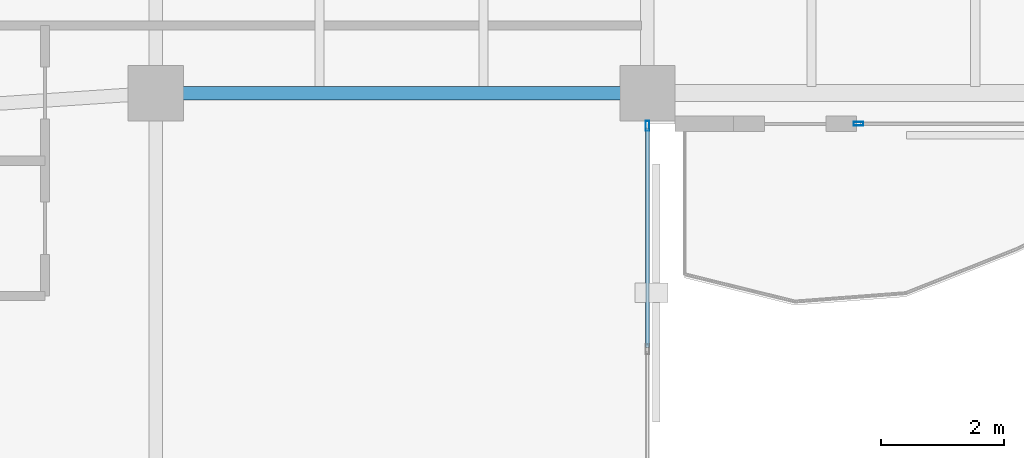
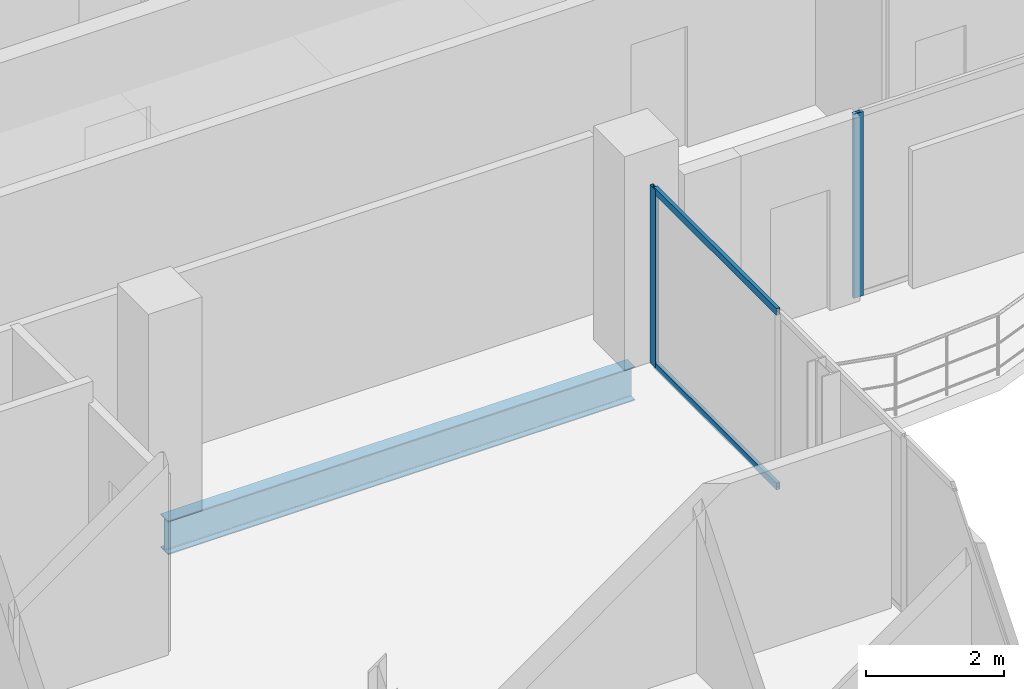
# One storey, part 8 of 23: 4 members, 1 beam, 2 elements without a shape of their own.
"""IFC4 building model written with IfcOpenShell, lengths in metres."""

from ifc_helpers import new_model, si_unit, direction, frame, origin, origin_2d, place, context, subcontext, project, spatial, hollow_rectangle, i_section, extrude, material, layer, layer_set, material_profile, profile_set, type_object, element, aggregate, save


model = new_model("IFC4")

# Units and contexts
model_context = context("Model", 3, precision=1e-05, world=origin(), true_north=direction((0.0, 1.0)))
body_context = subcontext(model_context, "Body", "Model", "MODEL_VIEW")
ifc_project = project(units=[si_unit("LENGTHUNIT", "METRE"), si_unit("AREAUNIT", "SQUARE_METRE"), si_unit("VOLUMEUNIT", "CUBIC_METRE"), si_unit("PLANEANGLEUNIT", "RADIAN"), si_unit("MASSUNIT", "GRAM", prefix="KILO")], contexts=[model_context])

# Site, building, storey
site_placement = place(None, origin())
site = spatial("IfcSite", under=ifc_project, at=site_placement, CompositionType="ELEMENT")
building_placement = place(site_placement, origin())
building = spatial("IfcBuilding", under=site, at=building_placement, Name="Catumbela Crestline Tower", CompositionType="ELEMENT")
storey_placement = place(building_placement, frame((0.0, 0.0, 241.2)))
storey = spatial("IfcBuildingStorey", under=building, at=storey_placement, Name="L62", CompositionType="ELEMENT", Elevation=241.2)

# Beam
ifc_material_1 = material(Name="Structural steel S355J2", Category="steel")
ifc_material_profile_1 = material_profile(ifc_material_1, i_section(OverallWidth=0.22, OverallDepth=0.6, WebThickness=0.012, FlangeThickness=0.019, FilletRadius=0.024, at=origin_2d()), Name="IPE 600")
ifc_profile_set_1 = profile_set([ifc_material_profile_1], Name="Structural steel S355J2")
beam_type = type_object("IfcBeamType", Name="BG-IPE600", PredefinedType="BEAM", material=ifc_profile_set_1)
beam_placement = place(storey_placement, frame((16.08, 24.5, -0.56), z_axis=(1.0, 0.0, 0.0), x_axis=(0.0, 1.0, 0.0)))
element("IfcBeam", 1, at=beam_placement, inside=storey, type_object=beam_type, Name="L62 Beam BM-L62-S03", PredefinedType="BEAM", context=body_context, shape_type="SweptSolid", body=[
    extrude(i_section(OverallWidth=0.22, OverallDepth=0.6, WebThickness=0.012, FlangeThickness=0.019, FilletRadius=0.024, at=origin_2d()), origin(), (0.0, 0.0, 1.0), 7.84),
])

# Curtain wall, member
ifc_material_2 = material(Name="Aluminium alloy AW-6060-T66", Category="aluminium")
ifc_layer = layer(ifc_material_2, 0.18, Name="Aluminium alloy AW-6060-T66")
ifc_layer_set = layer_set([ifc_layer], Name="Aluminium alloy AW-6060-T66")
curtain_wall_type = type_object("IfcCurtainWallType", Name="CWU-Z4", PredefinedType="USERDEFINED", material=ifc_layer_set)
curtain_wall_1_placement = place(storey_placement, origin())
curtain_wall_1 = element("IfcCurtainWall", 2, at=curtain_wall_1_placement, inside=storey, type_object=curtain_wall_type, Name="L62 Unitised Curtain Wall CW-L62-E2S1", ObjectType="UNITISED", PredefinedType="USERDEFINED")
ifc_material_profile_2 = material_profile(ifc_material_2, hollow_rectangle(XDim=0.06, YDim=0.16, WallThickness=0.004, at=origin_2d()), Name="ALU 160x60x4")
ifc_profile_set_2 = profile_set([ifc_material_profile_2], Name="Aluminium alloy AW-6060-T66")
member_type_1 = type_object("IfcMemberType", Name="MUL-160X60", PredefinedType="MULLION", material=ifc_profile_set_2)
member_1_placement = place(storey_placement, frame((24.0, 23.9675, 0.0), z_axis=(0.0, 0.0, 1.0), x_axis=(-1.0, 0.0, 0.0)))
member_1 = element("IfcMember", 3, at=member_1_placement, type_object=member_type_1, Name="CWU-Z4 mullion 4", PredefinedType="MULLION", context=body_context, shape_type="SweptSolid", body=[
    extrude(hollow_rectangle(XDim=0.06, YDim=0.16, WallThickness=0.004, at=origin_2d()), origin(), (0.0, 0.0, 1.0), 3.16),
])

curtain_wall_2_placement = place(storey_placement, origin())
curtain_wall_2 = element("IfcCurtainWall", 4, at=curtain_wall_2_placement, inside=storey, type_object=curtain_wall_type, Name="L62 Unitised Curtain Wall CW-L62-E3S2", ObjectType="UNITISED", PredefinedType="USERDEFINED")
member_2_placement = place(storey_placement, frame((27.4325, 24.0, 0.0), z_axis=(0.0, 0.0, 1.0), x_axis=(0.0, 1.0, 0.0)))
member_2 = element("IfcMember", 5, at=member_2_placement, type_object=member_type_1, Name="CWU-Z4 mullion 1", PredefinedType="MULLION", context=body_context, shape_type="SweptSolid", body=[
    extrude(hollow_rectangle(XDim=0.06, YDim=0.16, WallThickness=0.004, at=origin_2d()), origin(), (0.0, 0.0, 1.0), 3.27),
])
aggregate(curtain_wall_2, [member_2])

# Member
ifc_material_profile_3 = material_profile(ifc_material_2, hollow_rectangle(XDim=0.06, YDim=0.12, WallThickness=0.0035, at=origin_2d()), Name="ALU 120x60x3.5")
ifc_profile_set_3 = profile_set([ifc_material_profile_3], Name="Aluminium alloy AW-6060-T66")
member_type_2 = type_object("IfcMemberType", Name="TRN-120X60", PredefinedType="USERDEFINED", material=ifc_profile_set_3)
member_3_placement = place(storey_placement, frame((24.0, 20.3658, 0.03), z_axis=(0.0, 1.0, 0.0), x_axis=(-1.0, 0.0, 0.0)))
member_3 = element("IfcMember", 6, at=member_3_placement, type_object=member_type_2, Name="CWU-Z4 transom 3.1", ObjectType="TRANSOM", PredefinedType="USERDEFINED", context=body_context, shape_type="SweptSolid", body=[
    extrude(hollow_rectangle(XDim=0.06, YDim=0.12, WallThickness=0.0035, at=origin_2d()), origin(), (0.0, 0.0, 1.0), 3.5692),
])

member_4_placement = place(storey_placement, frame((24.0, 20.3658, 3.13), z_axis=(0.0, 1.0, 0.0), x_axis=(-1.0, 0.0, 0.0)))
member_4 = element("IfcMember", 7, at=member_4_placement, type_object=member_type_2, Name="CWU-Z4 transom 3.2", ObjectType="TRANSOM", PredefinedType="USERDEFINED", context=body_context, shape_type="SweptSolid", body=[
    extrude(hollow_rectangle(XDim=0.06, YDim=0.12, WallThickness=0.0035, at=origin_2d()), origin(), (0.0, 0.0, 1.0), 3.5692),
])

aggregate(curtain_wall_1, [member_1, member_3, member_4])

save(model, "model.ifc")
